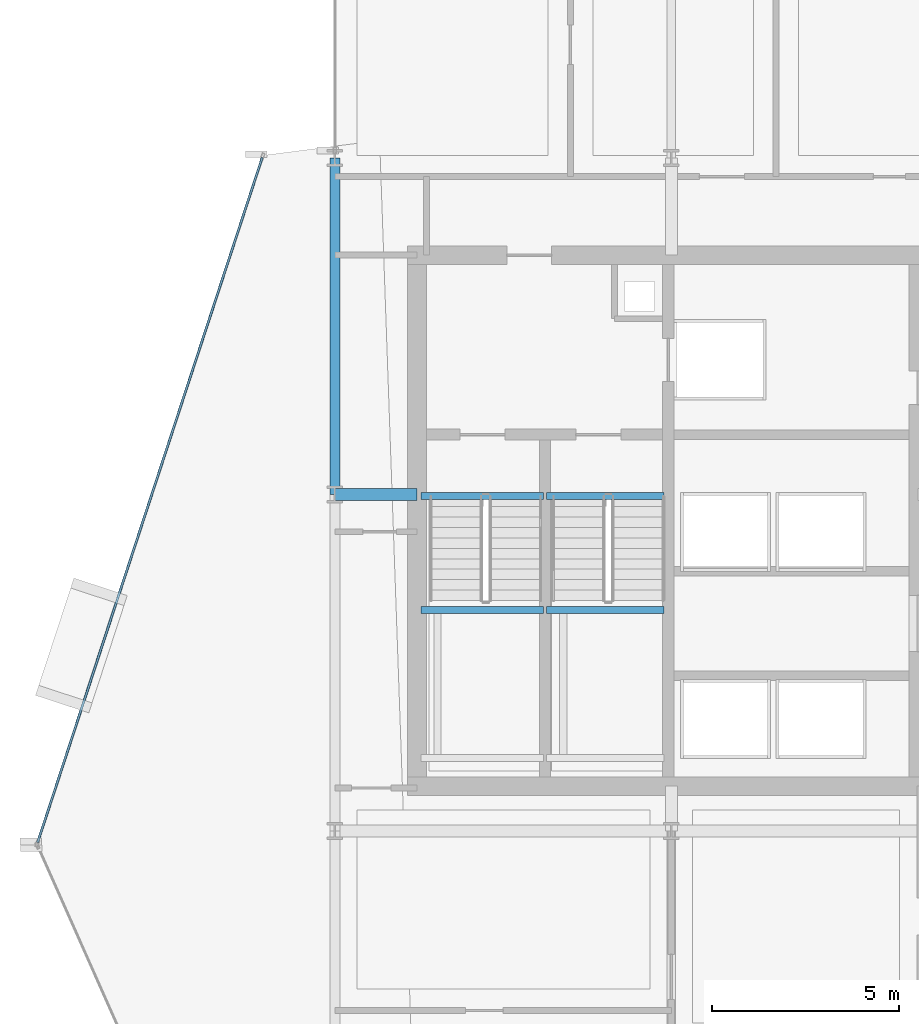
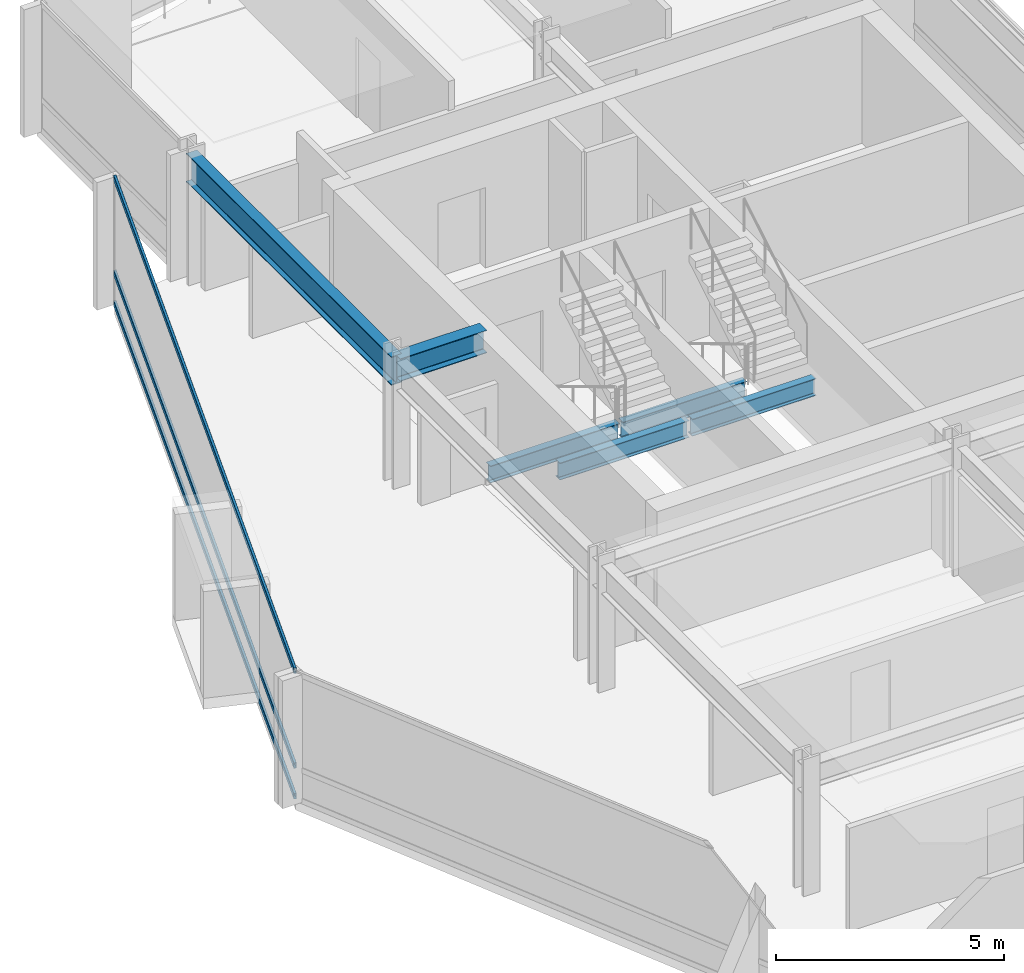
# One storey, part 15 of 28: 6 beams, 3 members, 1 element without a shape of its own.
"""IFC4 building model written with IfcOpenShell, lengths in metres."""

from ifc_helpers import new_model, si_unit, direction, frame, origin, origin_2d, place, context, subcontext, project, spatial, hollow_rectangle, i_section, extrude, material, layer, layer_set, material_profile, profile_set, type_object, element, aggregate, save


model = new_model("IFC4")

# Units and contexts
model_context = context("Model", 3, precision=1e-05, world=origin(), true_north=direction((0.0, 1.0)))
body_context = subcontext(model_context, "Body", "Model", "MODEL_VIEW")
ifc_project = project(units=[si_unit("LENGTHUNIT", "METRE"), si_unit("AREAUNIT", "SQUARE_METRE"), si_unit("VOLUMEUNIT", "CUBIC_METRE"), si_unit("PLANEANGLEUNIT", "RADIAN"), si_unit("MASSUNIT", "GRAM", prefix="KILO")], contexts=[model_context])

# Site, building, storey
site_placement = place(None, origin())
site = spatial("IfcSite", under=ifc_project, at=site_placement, CompositionType="ELEMENT")
building_placement = place(site_placement, origin())
building = spatial("IfcBuilding", under=site, at=building_placement, Name="Solvaryn Broadcast Tower", CompositionType="ELEMENT")
storey_placement = place(building_placement, frame((0.0, 0.0, 135.89990234375)))
storey = spatial("IfcBuildingStorey", under=building, at=storey_placement, Name="L33", CompositionType="ELEMENT", Elevation=135.89990234375)

# Beams
ifc_material_1 = material(Name="Steel ASTM A992 Grade 50", Category="steel")
ifc_material_profile_1 = material_profile(ifc_material_1, i_section(OverallWidth=0.323974609375, OverallDepth=0.611083984375, WebThickness=0.0126953125, FlangeThickness=0.01904296875, FilletRadius=0.014892578125, at=origin_2d()))
ifc_profile_set_1 = profile_set([ifc_material_profile_1], Name="Steel ASTM A992 Grade 50")
beam_type_1 = type_object("IfcBeamType", Name="BM-B1-W24X104", PredefinedType="BEAM", material=ifc_profile_set_1)
beam_1_placement = place(storey_placement, frame((9.0, 36.0, 3.114501953125), z_axis=(1.0, 0.0, 0.0), x_axis=(0.0, 1.0, 0.0)))
element("IfcBeam", 1, at=beam_1_placement, inside=storey, type_object=beam_type_1, Name="L33 Core Tie Beam CTW1", PredefinedType="BEAM", context=body_context, shape_type="SweptSolid", body=[
    extrude(i_section(OverallWidth=0.323974609375, OverallDepth=0.611083984375, WebThickness=0.0126953125, FlangeThickness=0.01904296875, FilletRadius=0.014892578125, at=origin_2d()), origin(), (0.0, 0.0, 1.0), 2.199951171875),
])
ifc_material_2 = material(Name="Steel ASTM A992 Grade 50", Category="steel")
ifc_material_profile_2 = material_profile(ifc_material_2, i_section(OverallWidth=0.18994140625, OverallDepth=0.45703125, WebThickness=0.009033203125, FlangeThickness=0.014404296875, FilletRadius=0.011962890625, at=origin_2d()))
ifc_profile_set_2 = profile_set([ifc_material_profile_2], Name="Steel ASTM A992 Grade 50")
beam_type_2 = type_object("IfcBeamType", Name="BM-B4-W18X50", PredefinedType="BEAM", material=ifc_profile_set_2)
for number, where, z_axis, x_axis, name in (
    (2, (11.300048828125, 35.9599609375, -0.50830078125), (1.0, 0.0, 0.0), (0.0, 1.0, 0.0), "L33 ST1 Stair Well Trimmer Beam"),
    (3, (11.300048828125, 32.909912109375, 1.421630859375), (1.0, 0.0, 0.0), (0.0, 1.0, 0.0), "L33 ST1 Landing Support Beam 1B"),
):
    element("IfcBeam", number, at=place(storey_placement, frame(where, z_axis=z_axis, x_axis=x_axis)), inside=storey, type_object=beam_type_2, Name=name, PredefinedType="BEAM", context=body_context, shape_type="SweptSolid", body=[
        extrude(i_section(OverallWidth=0.18994140625, OverallDepth=0.45703125, WebThickness=0.009033203125, FlangeThickness=0.014404296875, FilletRadius=0.011962890625, at=origin_2d()), origin(), (0.0, 0.0, 1.0), 3.280029296875),
    ])
for number, where, z_axis, x_axis, name in (
    (4, (14.659912109375, 35.9599609375, -0.50830078125), (1.0, 0.0, 0.0), (0.0, 1.0, 0.0), "L33 ST2 Stair Well Trimmer Beam"),
    (5, (14.659912109375, 32.909912109375, 1.421630859375), (1.0, 0.0, 0.0), (0.0, 1.0, 0.0), "L33 ST2 Landing Support Beam 1B"),
):
    element("IfcBeam", number, at=place(storey_placement, frame(where, z_axis=z_axis, x_axis=x_axis)), inside=storey, type_object=beam_type_2, Name=name, PredefinedType="BEAM", context=body_context, shape_type="SweptSolid", body=[
        extrude(i_section(OverallWidth=0.18994140625, OverallDepth=0.45703125, WebThickness=0.009033203125, FlangeThickness=0.014404296875, FilletRadius=0.011962890625, at=origin_2d()), origin(), (0.0, 0.0, 1.0), 3.14013671875),
    ])
ifc_material_3 = material(Name="Steel ASTM A992 Grade 50", Category="steel")
ifc_material_profile_3 = material_profile(ifc_material_3, i_section(OverallWidth=0.26708984375, OverallDepth=0.76611328125, WebThickness=0.014892578125, FlangeThickness=0.023681640625, FilletRadius=0.01806640625, at=origin_2d()))
ifc_profile_set_3 = profile_set([ifc_material_profile_3], Name="Steel ASTM A992 Grade 50")
beam_type_3 = type_object("IfcBeamType", Name="BM-SP2-W30X124", PredefinedType="USERDEFINED", material=ifc_profile_set_3)
beam_2_placement = place(storey_placement, frame((9.0, 36.0, 3.037109375), z_axis=(0.0, 1.0, 0.0), x_axis=(-1.0, 0.0, 0.0)))
element("IfcBeam", 6, at=beam_2_placement, inside=storey, type_object=beam_type_3, Name="L33 Spandrel Beam Y (36-45 @ X=9)", ObjectType="SPANDREL", PredefinedType="USERDEFINED", context=body_context, shape_type="SweptSolid", body=[
    extrude(i_section(OverallWidth=0.26708984375, OverallDepth=0.76611328125, WebThickness=0.014892578125, FlangeThickness=0.023681640625, FilletRadius=0.01806640625, at=origin_2d()), origin(), (0.0, 0.0, 1.0), 9.0),
])

# Curtain wall, members
ifc_material_4 = material(Name="Aluminium and Terracotta Unitised Curtain Wall", Category="masonry")
ifc_layer = layer(ifc_material_4, 0.199951171875)
ifc_layer_set = layer_set([ifc_layer], Name="CW-SYS2-LOWMID")
curtain_wall_type = type_object("IfcCurtainWallType", Name="CW-SYS2-LOWMID", PredefinedType="NOTDEFINED", material=ifc_layer_set)
curtain_wall_placement = place(storey_placement, origin())
curtain_wall = element("IfcCurtainWall", 7, at=curtain_wall_placement, inside=storey, type_object=curtain_wall_type, Name="L33 Curtain Wall DR1", PredefinedType="NOTDEFINED")
ifc_material_5 = material(Name="Anodised Aluminium 6063-T6", Category="aluminium")
ifc_material_profile_4 = material_profile(ifc_material_5, hollow_rectangle(XDim=0.06494140625, YDim=0.14990234375, WallThickness=0.00390625, InnerFilletRadius=0.00390625, OuterFilletRadius=0.008056640625, at=origin_2d()))
ifc_profile_set_4 = profile_set([ifc_material_profile_4], Name="Anodised Aluminium 6063-T6")
member_type = type_object("IfcMemberType", Name="CW-TRN-150", PredefinedType="USERDEFINED", material=ifc_profile_set_4)
member_1_placement = place(storey_placement, frame((7.060302734375, 45.010009765625, 0.030029296875), z_axis=(-0.31164571445, -0.950198373323, 0.0), x_axis=(0.950198373323, -0.31164571445, 0.0)))
member_1 = element("IfcMember", 8, at=member_1_placement, type_object=member_type, Name="CWS2 transom 1.1", ObjectType="TRANSOM", PredefinedType="USERDEFINED", context=body_context, shape_type="SweptSolid", body=[
    extrude(hollow_rectangle(XDim=0.06494140625, YDim=0.14990234375, WallThickness=0.00390625, InnerFilletRadius=0.00390625, OuterFilletRadius=0.008056640625, at=origin_2d()), origin(), (0.0, 0.0, 1.0), 19.27685546875),
])
member_2_placement = place(storey_placement, frame((7.060302734375, 45.010009765625, 0.85009765625), z_axis=(-0.31164571445, -0.950198373323, 0.0), x_axis=(0.950198373323, -0.31164571445, 0.0)))
member_2 = element("IfcMember", 9, at=member_2_placement, type_object=member_type, Name="CWS2 transom 1.2", ObjectType="TRANSOM", PredefinedType="USERDEFINED", context=body_context, shape_type="SweptSolid", body=[
    extrude(hollow_rectangle(XDim=0.06494140625, YDim=0.14990234375, WallThickness=0.00390625, InnerFilletRadius=0.00390625, OuterFilletRadius=0.008056640625, at=origin_2d()), origin(), (0.0, 0.0, 1.0), 19.27685546875),
])
member_3_placement = place(storey_placement, frame((7.060302734375, 45.010009765625, 3.39013671875), z_axis=(-0.31164571445, -0.950198373323, 0.0), x_axis=(0.950198373323, -0.31164571445, 0.0)))
member_3 = element("IfcMember", 10, at=member_3_placement, type_object=member_type, Name="CWS2 transom 1.3", ObjectType="TRANSOM", PredefinedType="USERDEFINED", context=body_context, shape_type="SweptSolid", body=[
    extrude(hollow_rectangle(XDim=0.06494140625, YDim=0.14990234375, WallThickness=0.00390625, InnerFilletRadius=0.00390625, OuterFilletRadius=0.008056640625, at=origin_2d()), origin(), (0.0, 0.0, 1.0), 19.27685546875),
])
aggregate(curtain_wall, [member_1, member_2, member_3])

save(model, "model.ifc")
